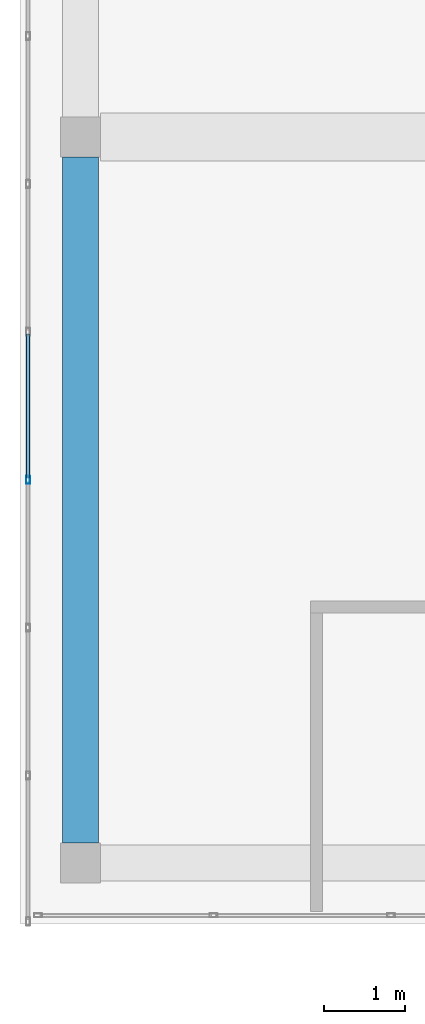
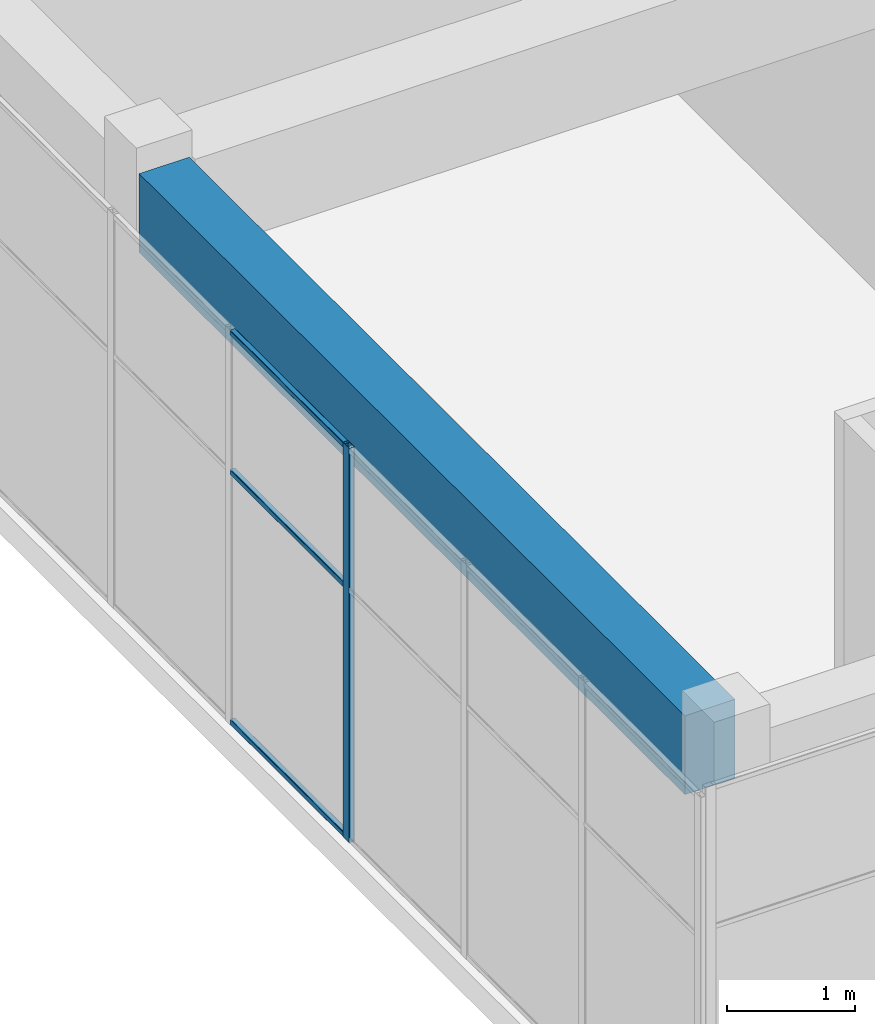
# One storey, part 5 of 34: 4 members, 1 beam, 1 element without a shape of its own.
"""IFC4 building model written with IfcOpenShell, lengths in metres."""

from ifc_helpers import new_model, si_unit, direction, frame, origin, origin_2d, place, context, subcontext, project, spatial, rectangle, hollow_rectangle, extrude, material, layer, layer_set, material_profile, profile_set, type_object, element, aggregate, save


model = new_model("IFC4")

# Units and contexts
model_context = context("Model", 3, precision=1e-05, world=origin(), true_north=direction((0.0, 1.0)))
body_context = subcontext(model_context, "Body", "Model", "MODEL_VIEW")
ifc_project = project(units=[si_unit("LENGTHUNIT", "METRE"), si_unit("AREAUNIT", "SQUARE_METRE"), si_unit("VOLUMEUNIT", "CUBIC_METRE"), si_unit("PLANEANGLEUNIT", "RADIAN"), si_unit("MASSUNIT", "GRAM", prefix="KILO")], contexts=[model_context])

# Site, building, storey
site_placement = place(None, origin())
site = spatial("IfcSite", under=ifc_project, at=site_placement, CompositionType="ELEMENT")
building_placement = place(site_placement, origin())
building = spatial("IfcBuilding", under=site, at=building_placement, Name="Tuart Plaza Theatre", CompositionType="ELEMENT")
storey_placement = place(building_placement, frame((0.0, 0.0, 57.5)))
storey = spatial("IfcBuildingStorey", under=building, at=storey_placement, Name="L14", CompositionType="ELEMENT", Elevation=57.5)

# Beam
ifc_material_1 = material(Name="Concrete N40 (40 MPa)", Category="concrete")
ifc_material_profile_1 = material_profile(ifc_material_1, rectangle(XDim=0.449951171875, YDim=0.75, at=origin_2d()), Name="BEAM 450x750 Concrete N40 (40 MPa)")
ifc_profile_set_1 = profile_set([ifc_material_profile_1], Name="Concrete N40 (40 MPa)")
beam_type = type_object("IfcBeamType", Name="BEAM 450x750 Concrete N40 (40 MPa)", PredefinedType="BEAM", material=ifc_profile_set_1)
beam_placement = place(storey_placement, frame((114.0, 65.25, 3.375), z_axis=(0.0, 1.0, 0.0), x_axis=(-1.0, 0.0, 0.0)))
element("IfcBeam", 1, at=beam_placement, inside=storey, type_object=beam_type, Name="RB318", PredefinedType="BEAM", context=body_context, shape_type="SweptSolid", body=[
    extrude(rectangle(XDim=0.449951171875, YDim=0.75, at=origin_2d()), origin(), (0.0, 0.0, 1.0), 8.5),
])

# Curtain wall, members
ifc_material_2 = material(Name="Aluminium and glass", Category="aluminium")
ifc_layer = layer(ifc_material_2, 0.10009765625)
ifc_layer_set = layer_set([ifc_layer], Name="CURTAIN WALL 1800 module")
curtain_wall_type = type_object("IfcCurtainWallType", Name="CURTAIN WALL 1800 module", PredefinedType="NOTDEFINED", material=ifc_layer_set)
curtain_wall_placement = place(storey_placement, origin())
curtain_wall = element("IfcCurtainWall", 2, at=curtain_wall_placement, inside=storey, type_object=curtain_wall_type, Name="CW118", PredefinedType="NOTDEFINED")
ifc_material_3 = material(Name="Aluminium 6063-T5", Category="aluminium")
ifc_material_profile_2 = material_profile(ifc_material_3, hollow_rectangle(XDim=0.050048828125, YDim=0.10009765625, WallThickness=0.00390625, InnerFilletRadius=0.00390625, OuterFilletRadius=0.008056640625, at=origin_2d()), Name="RHS 100x50x4")
ifc_profile_set_2 = profile_set([ifc_material_profile_2], Name="Aluminium 6063-T5")
member_type_1 = type_object("IfcMemberType", Name="MULLION RHS 100x50x4", PredefinedType="MULLION", material=ifc_profile_set_2)
member_1_placement = place(storey_placement, frame((113.35009765625, 69.75, 0.0), z_axis=(0.0, 0.0, 1.0), x_axis=(1.0, 0.0, 0.0)))
member_1 = element("IfcMember", 3, at=member_1_placement, type_object=member_type_1, Name="CW118 mullion 16", PredefinedType="MULLION", context=body_context, shape_type="SweptSolid", body=[
    extrude(hollow_rectangle(XDim=0.050048828125, YDim=0.10009765625, WallThickness=0.00390625, InnerFilletRadius=0.00390625, OuterFilletRadius=0.008056640625, at=origin_2d()), origin(), (0.0, 0.0, 1.0), 3.75),
])
ifc_material_4 = material(Name="Aluminium 6063-T5", Category="aluminium")
ifc_material_profile_3 = material_profile(ifc_material_4, hollow_rectangle(XDim=0.050048828125, YDim=0.050048828125, WallThickness=0.00390625, InnerFilletRadius=0.00390625, OuterFilletRadius=0.008056640625, at=origin_2d()), Name="RHS 50x50x4")
ifc_profile_set_3 = profile_set([ifc_material_profile_3], Name="Aluminium 6063-T5")
member_type_2 = type_object("IfcMemberType", Name="TRANSOM RHS 50x50x4", PredefinedType="USERDEFINED", material=ifc_profile_set_3)
member_2_placement = place(storey_placement, frame((113.35009765625, 71.558349609375, 0.02490234375), z_axis=(0.0, -1.0, 0.0), x_axis=(1.0, 0.0, 0.0)))
member_2 = element("IfcMember", 4, at=member_2_placement, type_object=member_type_2, Name="CW118 transom 15.1", ObjectType="TRANSOM", PredefinedType="USERDEFINED", context=body_context, shape_type="SweptSolid", body=[
    extrude(hollow_rectangle(XDim=0.050048828125, YDim=0.050048828125, WallThickness=0.00390625, InnerFilletRadius=0.00390625, OuterFilletRadius=0.008056640625, at=origin_2d()), origin(), (0.0, 0.0, 1.0), 1.783447265625),
])
member_3_placement = place(storey_placement, frame((113.35009765625, 71.558349609375, 2.39990234375), z_axis=(0.0, -1.0, 0.0), x_axis=(1.0, 0.0, 0.0)))
member_3 = element("IfcMember", 5, at=member_3_placement, type_object=member_type_2, Name="CW118 transom 15.2", ObjectType="TRANSOM", PredefinedType="USERDEFINED", context=body_context, shape_type="SweptSolid", body=[
    extrude(hollow_rectangle(XDim=0.050048828125, YDim=0.050048828125, WallThickness=0.00390625, InnerFilletRadius=0.00390625, OuterFilletRadius=0.008056640625, at=origin_2d()), origin(), (0.0, 0.0, 1.0), 1.783447265625),
])
member_4_placement = place(storey_placement, frame((113.35009765625, 71.558349609375, 3.72509765625), z_axis=(0.0, -1.0, 0.0), x_axis=(1.0, 0.0, 0.0)))
member_4 = element("IfcMember", 6, at=member_4_placement, type_object=member_type_2, Name="CW118 transom 15.3", ObjectType="TRANSOM", PredefinedType="USERDEFINED", context=body_context, shape_type="SweptSolid", body=[
    extrude(hollow_rectangle(XDim=0.050048828125, YDim=0.050048828125, WallThickness=0.00390625, InnerFilletRadius=0.00390625, OuterFilletRadius=0.008056640625, at=origin_2d()), origin(), (0.0, 0.0, 1.0), 1.783447265625),
])
aggregate(curtain_wall, [member_1, member_2, member_3, member_4])

save(model, "model.ifc")
